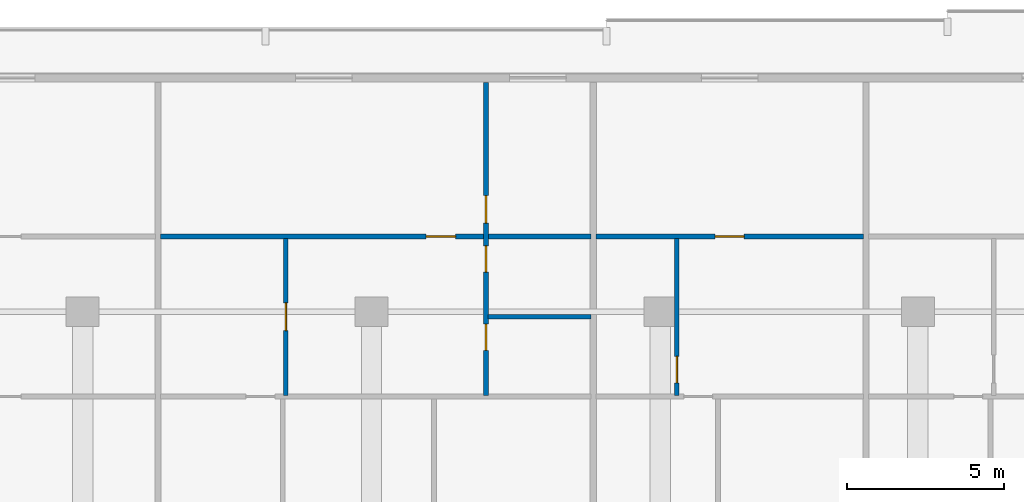
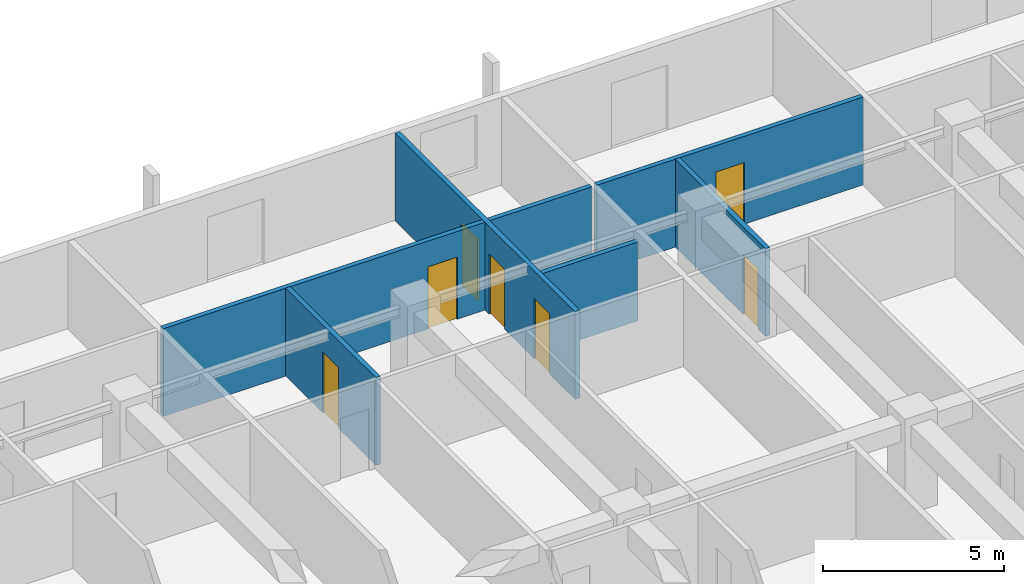
# One storey, part 16 of 24: 7 doors, 6 walls, 7 openings.
"""IFC4 building model written with IfcOpenShell, lengths in metres."""

from ifc_helpers import new_model, si_unit, direction, frame, frame_2d, origin, place, context, subcontext, project, spatial, rectangle, extrude, material, layer, layer_set, type_object, element, fill, save


model = new_model("IFC4")

# Units and contexts
model_context = context("Model", 3, precision=1e-05, world=origin(), true_north=direction((0.0, 1.0)))
body_context = subcontext(model_context, "Body", "Model", "MODEL_VIEW")
ifc_project = project(units=[si_unit("LENGTHUNIT", "METRE"), si_unit("AREAUNIT", "SQUARE_METRE"), si_unit("VOLUMEUNIT", "CUBIC_METRE"), si_unit("PLANEANGLEUNIT", "RADIAN"), si_unit("MASSUNIT", "GRAM", prefix="KILO")], contexts=[model_context])

# Site, building, storey
site_placement = place(None, origin())
site = spatial("IfcSite", under=ifc_project, at=site_placement, CompositionType="ELEMENT")
building_placement = place(site_placement, origin())
building = spatial("IfcBuilding", under=site, at=building_placement, Name="Korimba Cascade Residences", CompositionType="ELEMENT")
storey_placement = place(building_placement, frame((0.0, 0.0, 66.25)))
storey = spatial("IfcBuildingStorey", under=building, at=storey_placement, Name="L18", CompositionType="ELEMENT", Elevation=66.25)

# Wall, opening, door
ifc_material_1 = material(Name="Insulated Acoustic Stud Partition", Category="gypsum")
ifc_layer = layer(ifc_material_1, 0.14990234375)
ifc_layer_set = layer_set([ifc_layer], Name="Insulated Acoustic Stud Partition")
wall_type = type_object("IfcWallType", Name="WAL-PART-150", PredefinedType="PARTITIONING", material=ifc_layer_set)
wall_1_placement = place(storey_placement, frame((100.173095703125, 88.5400390625, 0.0), z_axis=(0.0, 0.0, 1.0), x_axis=(0.0, 1.0, 0.0)))
wall_1 = element("IfcWall", 1, at=wall_1_placement, inside=storey, type_object=wall_type, Name="L18 Partition Wall WAL-L18-T1-U04-VDIN", PredefinedType="PARTITIONING", context=body_context, shape_type="SweptSolid", body=[
    extrude(rectangle(XDim=5.0, YDim=0.14990234375, at=frame_2d((2.5, 0.0))), origin(), (0.0, 0.0, 1.0), 2.969970703125),
])
opening_1_placement = place(wall_1_placement, frame((2.06005859375, 0.0, 0.0)))
opening_1 = element("IfcOpeningElement", 2, at=opening_1_placement, cuts=wall_1, Name="Opening D-IN2", PredefinedType="OPENING", context=body_context, shape_type="SweptSolid", body=[
    extrude(rectangle(XDim=0.8798828125, YDim=2.06005859375, at=frame_2d((0.43994140625, 1.030029296875))), frame((0.0, 0.0849609375, 0.0), z_axis=(0.0, -1.0, 0.0), x_axis=(1.0, 0.0, 0.0)), (0.0, 0.0, 1.0), 0.169921875),
])
ifc_material_2 = material(Name="Acoustic Timber Bedroom Door", Category="wood")
door_type_1 = type_object("IfcDoorType", Name="DR-INT-880", OperationType="NOTDEFINED", PredefinedType="DOOR", material=ifc_material_2)
door_1_placement = place(opening_1_placement, origin())
door_1 = element("IfcDoor", 3, at=door_1_placement, inside=storey, type_object=door_type_1, Name="L18-T1-U04 Dining Room Door", OperationType="SINGLE_SWING_LEFT", OverallHeight=2.06005859375, OverallWidth=0.8798828125, PredefinedType="DOOR", context=body_context, shape_type="SweptSolid", body=[
    extrude(rectangle(XDim=0.8798828125, YDim=2.06005859375, at=frame_2d((0.43994140625, 1.030029296875))), frame((0.0, 0.02490234375, 0.0), z_axis=(0.0, -1.0, 0.0), x_axis=(1.0, 0.0, 0.0)), (0.0, 0.0, 1.0), 0.050048828125),
])
fill(opening_1, door_1)

# Wall
wall_2_placement = place(storey_placement, frame((106.60546875, 91.0400390625, 0.0), z_axis=(0.0, 0.0, 1.0), x_axis=(1.0, 0.0, 0.0)))
element("IfcWall", 4, at=wall_2_placement, inside=storey, type_object=wall_type, Name="L18 Partition Wall WAL-L18-T1-U04-BLDIV", PredefinedType="PARTITIONING", context=body_context, shape_type="SweptSolid", body=[
    extrude(rectangle(XDim=3.280029296875, YDim=0.14990234375, at=frame_2d((1.64013671875, 0.0))), origin(), (0.0, 0.0, 1.0), 2.663330078125),
])

# Wall, openings, doors
wall_3_placement = place(storey_placement, frame((106.54541015625, 88.5400390625, 0.0), z_axis=(0.0, 0.0, 1.0), x_axis=(0.0, 1.0, 0.0)))
wall_3 = element("IfcWall", 5, at=wall_3_placement, inside=storey, type_object=wall_type, Name="L18 Partition Wall WAL-L18-T1-U04-V1", PredefinedType="PARTITIONING", context=body_context, shape_type="SweptSolid", body=[
    extrude(rectangle(XDim=9.9599609375, YDim=0.14990234375, at=frame_2d((4.97998046875, 0.0))), origin(), (0.0, 0.0, 1.0), 2.969970703125),
])
opening_2_placement = place(wall_3_placement, frame((1.430419921875, 0.0, 0.0)))
opening_2 = element("IfcOpeningElement", 6, at=opening_2_placement, cuts=wall_3, Name="Opening D-BT1", PredefinedType="OPENING", context=body_context, shape_type="SweptSolid", body=[
    extrude(rectangle(XDim=0.840087890625, YDim=2.0400390625, at=frame_2d((0.419921875, 1.02001953125))), frame((0.0, 0.0849609375, 0.0), z_axis=(0.0, -1.0, 0.0), x_axis=(1.0, 0.0, 0.0)), (0.0, 0.0, 1.0), 0.169921875),
])
opening_3_placement = place(wall_3_placement, frame((3.919921875, 0.0, 0.0)))
opening_3 = element("IfcOpeningElement", 7, at=opening_3_placement, cuts=wall_3, Name="Opening D-BT1", PredefinedType="OPENING", context=body_context, shape_type="SweptSolid", body=[
    extrude(rectangle(XDim=0.840087890625, YDim=2.0400390625, at=frame_2d((0.419921875, 1.02001953125))), frame((0.0, 0.0849609375, 0.0), z_axis=(0.0, -1.0, 0.0), x_axis=(1.0, 0.0, 0.0)), (0.0, 0.0, 1.0), 0.169921875),
])
opening_4_placement = place(wall_3_placement, frame((5.47998046875, 0.0, 0.0)))
opening_4 = element("IfcOpeningElement", 8, at=opening_4_placement, cuts=wall_3, Name="Opening D-IN2", PredefinedType="OPENING", context=body_context, shape_type="SweptSolid", body=[
    extrude(rectangle(XDim=0.8798828125, YDim=2.06005859375, at=frame_2d((0.43994140625, 1.030029296875))), frame((0.0, 0.0849609375, 0.0), z_axis=(0.0, -1.0, 0.0), x_axis=(1.0, 0.0, 0.0)), (0.0, 0.0, 1.0), 0.169921875),
])
ifc_material_3 = material(Name="Moisture-Resistant Bathroom Timber Door", Category="wood")
door_type_2 = type_object("IfcDoorType", Name="DR-INT-850", OperationType="NOTDEFINED", PredefinedType="DOOR", material=ifc_material_3)
door_2_placement = place(opening_2_placement, origin())
door_2 = element("IfcDoor", 9, at=door_2_placement, inside=storey, type_object=door_type_2, Name="L18-T1-U04 Bathroom Door", OperationType="SINGLE_SWING_RIGHT", OverallHeight=2.0400390625, OverallWidth=0.840087890625, PredefinedType="DOOR", context=body_context, shape_type="SweptSolid", body=[
    extrude(rectangle(XDim=0.840087890625, YDim=2.0400390625, at=frame_2d((0.419921875, 1.02001953125))), frame((0.0, 0.02490234375, 0.0), z_axis=(0.0, -1.0, 0.0), x_axis=(1.0, 0.0, 0.0)), (0.0, 0.0, 1.0), 0.050048828125),
])
fill(opening_2, door_2)
door_3_placement = place(opening_3_placement, origin())
door_3 = element("IfcDoor", 10, at=door_3_placement, inside=storey, type_object=door_type_2, Name="L18-T1-U04 Laundry Door", OperationType="SINGLE_SWING_LEFT", OverallHeight=2.0400390625, OverallWidth=0.840087890625, PredefinedType="DOOR", context=body_context, shape_type="SweptSolid", body=[
    extrude(rectangle(XDim=0.840087890625, YDim=2.0400390625, at=frame_2d((0.419921875, 1.02001953125))), frame((0.0, 0.02490234375, 0.0), z_axis=(0.0, -1.0, 0.0), x_axis=(1.0, 0.0, 0.0)), (0.0, 0.0, 1.0), 0.050048828125),
])
fill(opening_3, door_3)
door_4_placement = place(opening_4_placement, origin())
door_4 = element("IfcDoor", 11, at=door_4_placement, inside=storey, type_object=door_type_1, Name="L18-T1-U04 Bedroom 1 Door", OperationType="SINGLE_SWING_RIGHT", OverallHeight=2.06005859375, OverallWidth=0.8798828125, PredefinedType="DOOR", context=body_context, shape_type="SweptSolid", body=[
    extrude(rectangle(XDim=0.8798828125, YDim=2.06005859375, at=frame_2d((0.43994140625, 1.030029296875))), frame((0.0, 0.02490234375, 0.0), z_axis=(0.0, -1.0, 0.0), x_axis=(1.0, 0.0, 0.0)), (0.0, 0.0, 1.0), 0.050048828125),
])
fill(opening_4, door_4)

# Wall, opening, door
wall_4_placement = place(storey_placement, frame((96.18310546875, 93.60009765625, 0.0), z_axis=(0.0, 0.0, 1.0), x_axis=(1.0, 0.0, 0.0)))
wall_4 = element("IfcWall", 12, at=wall_4_placement, inside=storey, type_object=wall_type, Name="L18 Partition Wall WAL-L18-T1-U04-HZ", PredefinedType="PARTITIONING", context=body_context, shape_type="SweptSolid", body=[
    extrude(rectangle(XDim=13.702392578125, YDim=0.14990234375, at=frame_2d((6.85107421875, 0.0))), origin(), (0.0, 0.0, 1.0), 2.969970703125),
])
opening_5_placement = place(wall_4_placement, frame((8.45849609375, 0.0, 0.0)))
opening_5 = element("IfcOpeningElement", 13, at=opening_5_placement, cuts=wall_4, Name="Opening D-IN0", PredefinedType="OPENING", context=body_context, shape_type="SweptSolid", body=[
    extrude(rectangle(XDim=0.93994140625, YDim=2.10009765625, at=frame_2d((0.469970703125, 1.050048828125))), frame((0.0, 0.0849609375, 0.0), z_axis=(0.0, -1.0, 0.0), x_axis=(1.0, 0.0, 0.0)), (0.0, 0.0, 1.0), 0.169921875),
])
ifc_material_4 = material(Name="Acoustic Timber Living Archway Door", Category="wood")
door_type_3 = type_object("IfcDoorType", Name="DR-INT-950", OperationType="NOTDEFINED", PredefinedType="DOOR", material=ifc_material_4)
door_5_placement = place(opening_5_placement, origin())
door_5 = element("IfcDoor", 14, at=door_5_placement, inside=storey, type_object=door_type_3, Name="L18-T1-U04 Living Archway Door", OperationType="SINGLE_SWING_RIGHT", OverallHeight=2.10009765625, OverallWidth=0.93994140625, PredefinedType="DOOR", context=body_context, shape_type="SweptSolid", body=[
    extrude(rectangle(XDim=0.93994140625, YDim=2.10009765625, at=frame_2d((0.469970703125, 1.050048828125))), frame((0.0, 0.02490234375, 0.0), z_axis=(0.0, -1.0, 0.0), x_axis=(1.0, 0.0, 0.0)), (0.0, 0.0, 1.0), 0.050048828125),
])
fill(opening_5, door_5)

wall_5_placement = place(storey_placement, frame((112.62548828125, 88.5400390625, 0.0), z_axis=(0.0, 0.0, 1.0), x_axis=(0.0, 1.0, 0.0)))
wall_5 = element("IfcWall", 15, at=wall_5_placement, inside=storey, type_object=wall_type, Name="L18 Partition Wall WAL-L18-T1-U05-BM", PredefinedType="PARTITIONING", context=body_context, shape_type="SweptSolid", body=[
    extrude(rectangle(XDim=5.0, YDim=0.14990234375, at=frame_2d((2.5, 0.0))), origin(), (0.0, 0.0, 1.0), 2.969970703125),
])
opening_6_placement = place(wall_5_placement, frame((0.39990234375, 0.0, 0.0)))
opening_6 = element("IfcOpeningElement", 16, at=opening_6_placement, cuts=wall_5, Name="Opening D-BT1", PredefinedType="OPENING", context=body_context, shape_type="SweptSolid", body=[
    extrude(rectangle(XDim=0.840087890625, YDim=2.0400390625, at=frame_2d((0.419921875, 1.02001953125))), frame((0.0, 0.0849609375, 0.0), z_axis=(0.0, -1.0, 0.0), x_axis=(1.0, 0.0, 0.0)), (0.0, 0.0, 1.0), 0.169921875),
])
door_6_placement = place(opening_6_placement, origin())
door_6 = element("IfcDoor", 17, at=door_6_placement, inside=storey, type_object=door_type_2, Name="L18-T1-U05 Bathroom Door", OperationType="SINGLE_SWING_LEFT", OverallHeight=2.0400390625, OverallWidth=0.840087890625, PredefinedType="DOOR", context=body_context, shape_type="SweptSolid", body=[
    extrude(rectangle(XDim=0.840087890625, YDim=2.0400390625, at=frame_2d((0.419921875, 1.02001953125))), frame((0.0, 0.02490234375, 0.0), z_axis=(0.0, -1.0, 0.0), x_axis=(1.0, 0.0, 0.0)), (0.0, 0.0, 1.0), 0.050048828125),
])
fill(opening_6, door_6)

wall_6_placement = place(storey_placement, frame((110.04541015625, 93.60009765625, 0.0), z_axis=(0.0, 0.0, 1.0), x_axis=(1.0, 0.0, 0.0)))
wall_6 = element("IfcWall", 18, at=wall_6_placement, inside=storey, type_object=wall_type, Name="L18 Partition Wall WAL-L18-T1-U05-HZ", PredefinedType="PARTITIONING", context=body_context, shape_type="SweptSolid", body=[
    extrude(rectangle(XDim=8.520263671875, YDim=0.14990234375, at=frame_2d((4.26025390625, 0.0))), origin(), (0.0, 0.0, 1.0), 2.969970703125),
])
opening_7_placement = place(wall_6_placement, frame((3.800048828125, 0.0, 0.0)))
opening_7 = element("IfcOpeningElement", 19, at=opening_7_placement, cuts=wall_6, Name="Opening D-IN1", PredefinedType="OPENING", context=body_context, shape_type="SweptSolid", body=[
    extrude(rectangle(XDim=0.919921875, YDim=2.080078125, at=frame_2d((0.4599609375, 1.0400390625))), frame((0.0, 0.0849609375, 0.0), z_axis=(0.0, -1.0, 0.0), x_axis=(1.0, 0.0, 0.0)), (0.0, 0.0, 1.0), 0.169921875),
])
ifc_material_5 = material(Name="Acoustic Timber Living Door", Category="wood")
door_type_4 = type_object("IfcDoorType", Name="DR-INT-920", OperationType="NOTDEFINED", PredefinedType="DOOR", material=ifc_material_5)
door_7_placement = place(opening_7_placement, origin())
door_7 = element("IfcDoor", 20, at=door_7_placement, inside=storey, type_object=door_type_4, Name="L18-T1-U05 Studio Door", OperationType="SINGLE_SWING_LEFT", OverallHeight=2.080078125, OverallWidth=0.919921875, PredefinedType="DOOR", context=body_context, shape_type="SweptSolid", body=[
    extrude(rectangle(XDim=0.919921875, YDim=2.080078125, at=frame_2d((0.4599609375, 1.0400390625))), frame((0.0, 0.02490234375, 0.0), z_axis=(0.0, -1.0, 0.0), x_axis=(1.0, 0.0, 0.0)), (0.0, 0.0, 1.0), 0.050048828125),
])
fill(opening_7, door_7)

save(model, "model.ifc")
